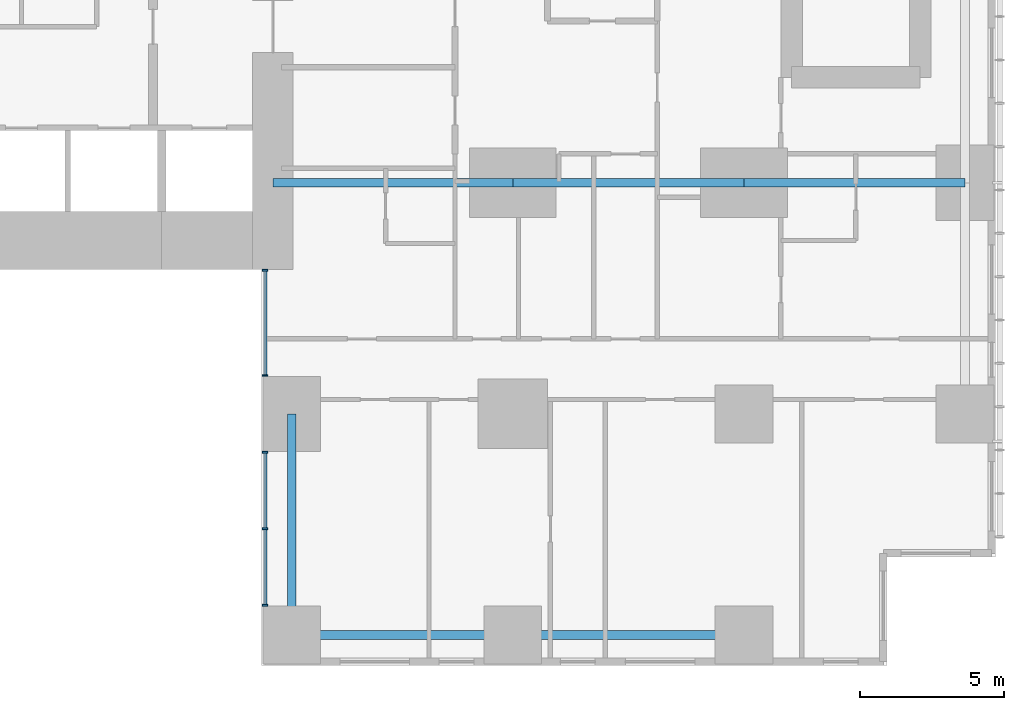
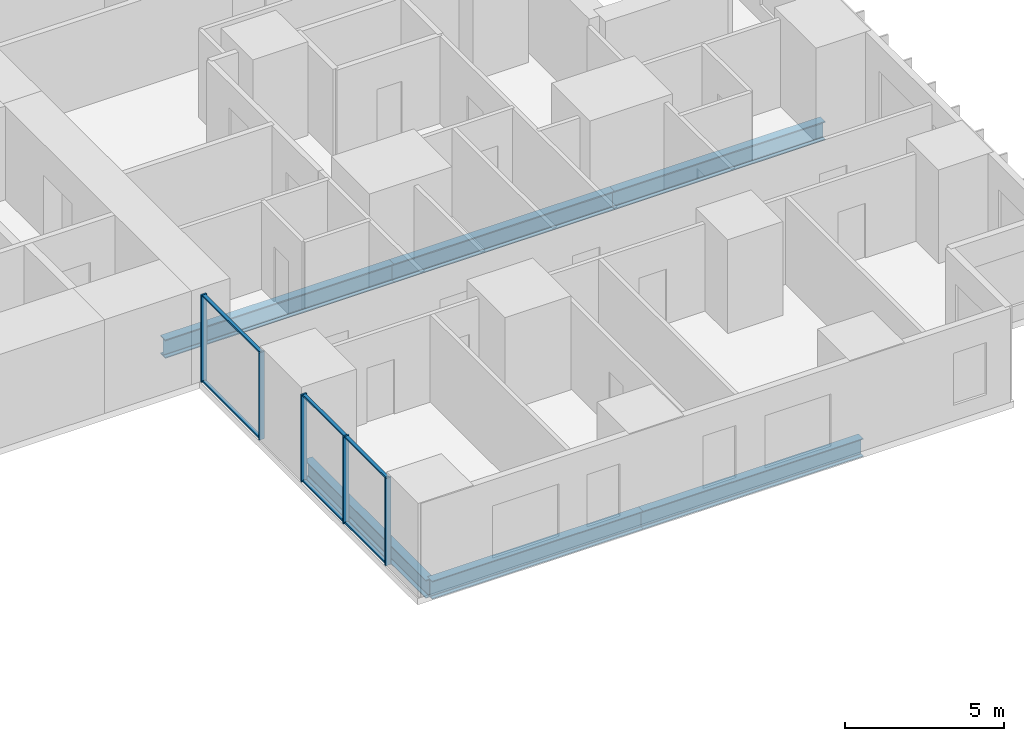
# One storey, part 3 of 21: 11 members, 6 beams, 2 elements without a shape of their own.
"""IFC4 building model written with IfcOpenShell, lengths in metres."""

from ifc_helpers import new_model, si_unit, direction, frame, origin, origin_2d, place, context, subcontext, project, spatial, rectangle, i_section, extrude, material, layer, layer_set, material_profile, profile_set, type_object, element, aggregate, save


model = new_model("IFC4")

# Units and contexts
model_context = context("Model", 3, precision=1e-05, world=origin(), true_north=direction((0.0, 1.0)))
body_context = subcontext(model_context, "Body", "Model", "MODEL_VIEW")
ifc_project = project(units=[si_unit("LENGTHUNIT", "METRE"), si_unit("AREAUNIT", "SQUARE_METRE"), si_unit("VOLUMEUNIT", "CUBIC_METRE"), si_unit("PLANEANGLEUNIT", "RADIAN"), si_unit("MASSUNIT", "GRAM", prefix="KILO")], contexts=[model_context])

# Site, building, storey
site_placement = place(None, origin())
site = spatial("IfcSite", under=ifc_project, at=site_placement, CompositionType="ELEMENT")
building_placement = place(site_placement, origin())
building = spatial("IfcBuilding", under=site, at=building_placement, Name="Cleftline Residences", CompositionType="ELEMENT")
storey_placement = place(building_placement, frame((0.0, 0.0, 65.60009765625)))
storey = spatial("IfcBuildingStorey", under=building, at=storey_placement, Name="L16", CompositionType="ELEMENT", Elevation=65.60009765625)

# Beams
ifc_material_1 = material(Name="Steel S355", Category="steel")
ifc_material_profile_1 = material_profile(ifc_material_1, i_section(OverallWidth=0.300048828125, OverallDepth=0.699951171875, WebThickness=0.01708984375, FlangeThickness=0.031982421875, FilletRadius=0.027099609375, at=origin_2d()))
ifc_profile_set_1 = profile_set([ifc_material_profile_1], Name="Steel S355")
beam_type_1 = type_object("IfcBeamType", Name="BEAM HEB 700", PredefinedType="BEAM", material=ifc_profile_set_1)
beam_1_placement = place(storey_placement, frame((58.0, 0.35009765625, -0.60009765625), z_axis=(-1.0, 0.0, 0.0), x_axis=(0.0, -1.0, 0.0)))
element("IfcBeam", 1, at=beam_1_placement, inside=storey, type_object=beam_type_1, Name="Edge beam", PredefinedType="BEAM", context=body_context, shape_type="SweptSolid", body=[
    extrude(i_section(OverallWidth=0.300048828125, OverallDepth=0.699951171875, WebThickness=0.01708984375, FlangeThickness=0.031982421875, FilletRadius=0.027099609375, at=origin_2d()), origin(), (0.0, 0.0, 1.0), 8.0),
])
for number, where, z_axis, x_axis, name in (
    (2, (50.0, 0.35009765625, -0.60009765625), (-1.0, 0.0, 0.0), (0.0, -1.0, 0.0), "Edge beam"),
    (3, (42.35009765625, 0.35009765625, -0.60009765625), (0.0, 1.0, 0.0), (-1.0, 0.0, 0.0), "Edge beam"),
):
    element("IfcBeam", number, at=place(storey_placement, frame(where, z_axis=z_axis, x_axis=x_axis)), inside=storey, type_object=beam_type_1, Name=name, PredefinedType="BEAM", context=body_context, shape_type="SweptSolid", body=[
        extrude(i_section(OverallWidth=0.300048828125, OverallDepth=0.699951171875, WebThickness=0.01708984375, FlangeThickness=0.031982421875, FilletRadius=0.027099609375, at=origin_2d()), origin(), (0.0, 0.0, 1.0), 7.64990234375),
    ])
ifc_material_2 = material(Name="Steel S355", Category="steel")
ifc_material_profile_2 = material_profile(ifc_material_2, i_section(OverallWidth=0.303955078125, OverallDepth=0.716064453125, WebThickness=0.02099609375, FlangeThickness=0.0400390625, FilletRadius=0.027099609375, at=origin_2d()))
ifc_profile_set_2 = profile_set([ifc_material_profile_2], Name="Steel S355")
beam_type_2 = type_object("IfcBeamType", Name="BEAM HEM 700", PredefinedType="BEAM", material=ifc_profile_set_2)
beam_2_placement = place(storey_placement, frame((65.64990234375, 16.0, -0.608154296875), z_axis=(-1.0, 0.0, 0.0), x_axis=(0.0, -1.0, 0.0)))
element("IfcBeam", 4, at=beam_2_placement, inside=storey, type_object=beam_type_2, Name="Band beam", PredefinedType="BEAM", context=body_context, shape_type="SweptSolid", body=[
    extrude(i_section(OverallWidth=0.303955078125, OverallDepth=0.716064453125, WebThickness=0.02099609375, FlangeThickness=0.0400390625, FilletRadius=0.027099609375, at=origin_2d()), origin(), (0.0, 0.0, 1.0), 7.64990234375),
])
beam_3_placement = place(storey_placement, frame((58.0, 16.0, -0.608154296875), z_axis=(-1.0, 0.0, 0.0), x_axis=(0.0, -1.0, 0.0)))
element("IfcBeam", 5, at=beam_3_placement, inside=storey, type_object=beam_type_2, Name="Band beam", PredefinedType="BEAM", context=body_context, shape_type="SweptSolid", body=[
    extrude(i_section(OverallWidth=0.303955078125, OverallDepth=0.716064453125, WebThickness=0.02099609375, FlangeThickness=0.0400390625, FilletRadius=0.027099609375, at=origin_2d()), origin(), (0.0, 0.0, 1.0), 8.0),
])
beam_4_placement = place(storey_placement, frame((50.0, 16.0, -0.608154296875), z_axis=(-1.0, 0.0, 0.0), x_axis=(0.0, -1.0, 0.0)))
element("IfcBeam", 6, at=beam_4_placement, inside=storey, type_object=beam_type_2, Name="Band beam", PredefinedType="BEAM", context=body_context, shape_type="SweptSolid", body=[
    extrude(i_section(OverallWidth=0.303955078125, OverallDepth=0.716064453125, WebThickness=0.02099609375, FlangeThickness=0.0400390625, FilletRadius=0.027099609375, at=origin_2d()), origin(), (0.0, 0.0, 1.0), 8.300048828125),
])

# Curtain wall, members
ifc_material_3 = material(Name="Aluminium framed curtain wall", Category="aluminium")
ifc_layer = layer(ifc_material_3, 0.199951171875)
ifc_layer_set = layer_set([ifc_layer], Name="CW1 CLEFT GLAZING")
curtain_wall_type = type_object("IfcCurtainWallType", Name="CW1 CLEFT GLAZING", PredefinedType="NOTDEFINED", material=ifc_layer_set)
curtain_wall_1_placement = place(storey_placement, origin())
curtain_wall_1 = element("IfcCurtainWall", 7, at=curtain_wall_1_placement, inside=storey, type_object=curtain_wall_type, Name="Curtain wall CW1", PredefinedType="NOTDEFINED")
ifc_material_4 = material(Name="Aluminium mullion", Category="aluminium")
ifc_material_profile_3 = material_profile(ifc_material_4, rectangle(XDim=0.199951171875, YDim=0.06005859375, at=origin_2d()))
ifc_profile_set_3 = profile_set([ifc_material_profile_3], Name="Aluminium mullion")
member_type_1 = type_object("IfcMemberType", Name="CW1 MULLION", PredefinedType="MULLION", material=ifc_profile_set_3)
member_1_placement = place(storey_placement, frame((41.425048828125, 12.969970703125, 0.0), z_axis=(0.0, 0.0, 1.0), x_axis=(1.0, 0.0, 0.0)))
member_1 = element("IfcMember", 8, at=member_1_placement, type_object=member_type_1, Name="CW1 mullion 1", PredefinedType="MULLION", context=body_context, shape_type="SweptSolid", body=[
    extrude(rectangle(XDim=0.199951171875, YDim=0.06005859375, at=origin_2d()), origin(), (0.0, 0.0, 1.0), 3.349853515625),
])
member_2_placement = place(storey_placement, frame((41.425048828125, 9.330078125, 0.0), z_axis=(0.0, 0.0, 1.0), x_axis=(1.0, 0.0, 0.0)))
member_2 = element("IfcMember", 9, at=member_2_placement, type_object=member_type_1, Name="CW1 mullion 2", PredefinedType="MULLION", context=body_context, shape_type="SweptSolid", body=[
    extrude(rectangle(XDim=0.199951171875, YDim=0.06005859375, at=origin_2d()), origin(), (0.0, 0.0, 1.0), 3.349853515625),
])

curtain_wall_2_placement = place(storey_placement, origin())
curtain_wall_2 = element("IfcCurtainWall", 10, at=curtain_wall_2_placement, inside=storey, type_object=curtain_wall_type, Name="Curtain wall CW1", PredefinedType="NOTDEFINED")
member_3_placement = place(storey_placement, frame((41.425048828125, 6.669921875, 0.0), z_axis=(0.0, 0.0, 1.0), x_axis=(1.0, 0.0, 0.0)))
member_3 = element("IfcMember", 11, at=member_3_placement, type_object=member_type_1, Name="CW1 mullion 1", PredefinedType="MULLION", context=body_context, shape_type="SweptSolid", body=[
    extrude(rectangle(XDim=0.199951171875, YDim=0.06005859375, at=origin_2d()), origin(), (0.0, 0.0, 1.0), 3.349853515625),
])
member_4_placement = place(storey_placement, frame((41.425048828125, 4.02490234375, 0.0), z_axis=(0.0, 0.0, 1.0), x_axis=(1.0, 0.0, 0.0)))
member_4 = element("IfcMember", 12, at=member_4_placement, type_object=member_type_1, Name="CW1 mullion 2", PredefinedType="MULLION", context=body_context, shape_type="SweptSolid", body=[
    extrude(rectangle(XDim=0.199951171875, YDim=0.06005859375, at=origin_2d()), origin(), (0.0, 0.0, 1.0), 3.349853515625),
])
member_5_placement = place(storey_placement, frame((41.425048828125, 1.3798828125, 0.0), z_axis=(0.0, 0.0, 1.0), x_axis=(1.0, 0.0, 0.0)))
member_5 = element("IfcMember", 13, at=member_5_placement, type_object=member_type_1, Name="CW1 mullion 3", PredefinedType="MULLION", context=body_context, shape_type="SweptSolid", body=[
    extrude(rectangle(XDim=0.199951171875, YDim=0.06005859375, at=origin_2d()), origin(), (0.0, 0.0, 1.0), 3.349853515625),
])

# Member
ifc_material_5 = material(Name="Aluminium transom", Category="aluminium")
ifc_material_profile_4 = material_profile(ifc_material_5, rectangle(XDim=0.1201171875, YDim=0.06005859375, at=origin_2d()))
ifc_profile_set_4 = profile_set([ifc_material_profile_4], Name="Aluminium transom")
member_type_2 = type_object("IfcMemberType", Name="CW1 TRANSOM", PredefinedType="USERDEFINED", material=ifc_profile_set_4)
member_6_placement = place(storey_placement, frame((41.425048828125, 12.93994140625, 0.02978515625), z_axis=(0.0, -1.0, 0.0), x_axis=(1.0, 0.0, 0.0)))
member_6 = element("IfcMember", 14, at=member_6_placement, type_object=member_type_2, Name="CW1 transom 1.1", ObjectType="TRANSOM", PredefinedType="USERDEFINED", context=body_context, shape_type="SweptSolid", body=[
    extrude(rectangle(XDim=0.1201171875, YDim=0.06005859375, at=origin_2d()), origin(), (0.0, 0.0, 1.0), 3.579833984375),
])

member_7_placement = place(storey_placement, frame((41.425048828125, 12.93994140625, 3.31982421875), z_axis=(0.0, -1.0, 0.0), x_axis=(1.0, 0.0, 0.0)))
member_7 = element("IfcMember", 15, at=member_7_placement, type_object=member_type_2, Name="CW1 transom 1.2", ObjectType="TRANSOM", PredefinedType="USERDEFINED", context=body_context, shape_type="SweptSolid", body=[
    extrude(rectangle(XDim=0.1201171875, YDim=0.06005859375, at=origin_2d()), origin(), (0.0, 0.0, 1.0), 3.579833984375),
])

aggregate(curtain_wall_1, [member_1, member_2, member_6, member_7])

member_8_placement = place(storey_placement, frame((41.425048828125, 6.639892578125, 0.02978515625), z_axis=(0.0, -1.0, 0.0), x_axis=(1.0, 0.0, 0.0)))
member_8 = element("IfcMember", 16, at=member_8_placement, type_object=member_type_2, Name="CW1 transom 1.1", ObjectType="TRANSOM", PredefinedType="USERDEFINED", context=body_context, shape_type="SweptSolid", body=[
    extrude(rectangle(XDim=0.1201171875, YDim=0.06005859375, at=origin_2d()), origin(), (0.0, 0.0, 1.0), 2.5849609375),
])

member_9_placement = place(storey_placement, frame((41.425048828125, 6.639892578125, 3.31982421875), z_axis=(0.0, -1.0, 0.0), x_axis=(1.0, 0.0, 0.0)))
member_9 = element("IfcMember", 17, at=member_9_placement, type_object=member_type_2, Name="CW1 transom 1.2", ObjectType="TRANSOM", PredefinedType="USERDEFINED", context=body_context, shape_type="SweptSolid", body=[
    extrude(rectangle(XDim=0.1201171875, YDim=0.06005859375, at=origin_2d()), origin(), (0.0, 0.0, 1.0), 2.5849609375),
])

member_10_placement = place(storey_placement, frame((41.425048828125, 3.9951171875, 0.02978515625), z_axis=(0.0, -1.0, 0.0), x_axis=(1.0, 0.0, 0.0)))
member_10 = element("IfcMember", 18, at=member_10_placement, type_object=member_type_2, Name="CW1 transom 2.1", ObjectType="TRANSOM", PredefinedType="USERDEFINED", context=body_context, shape_type="SweptSolid", body=[
    extrude(rectangle(XDim=0.1201171875, YDim=0.06005859375, at=origin_2d()), origin(), (0.0, 0.0, 1.0), 2.585205078125),
])

member_11_placement = place(storey_placement, frame((41.425048828125, 3.9951171875, 3.31982421875), z_axis=(0.0, -1.0, 0.0), x_axis=(1.0, 0.0, 0.0)))
member_11 = element("IfcMember", 19, at=member_11_placement, type_object=member_type_2, Name="CW1 transom 2.2", ObjectType="TRANSOM", PredefinedType="USERDEFINED", context=body_context, shape_type="SweptSolid", body=[
    extrude(rectangle(XDim=0.1201171875, YDim=0.06005859375, at=origin_2d()), origin(), (0.0, 0.0, 1.0), 2.585205078125),
])

aggregate(curtain_wall_2, [member_3, member_4, member_5, member_8, member_9, member_10, member_11])

save(model, "model.ifc")
